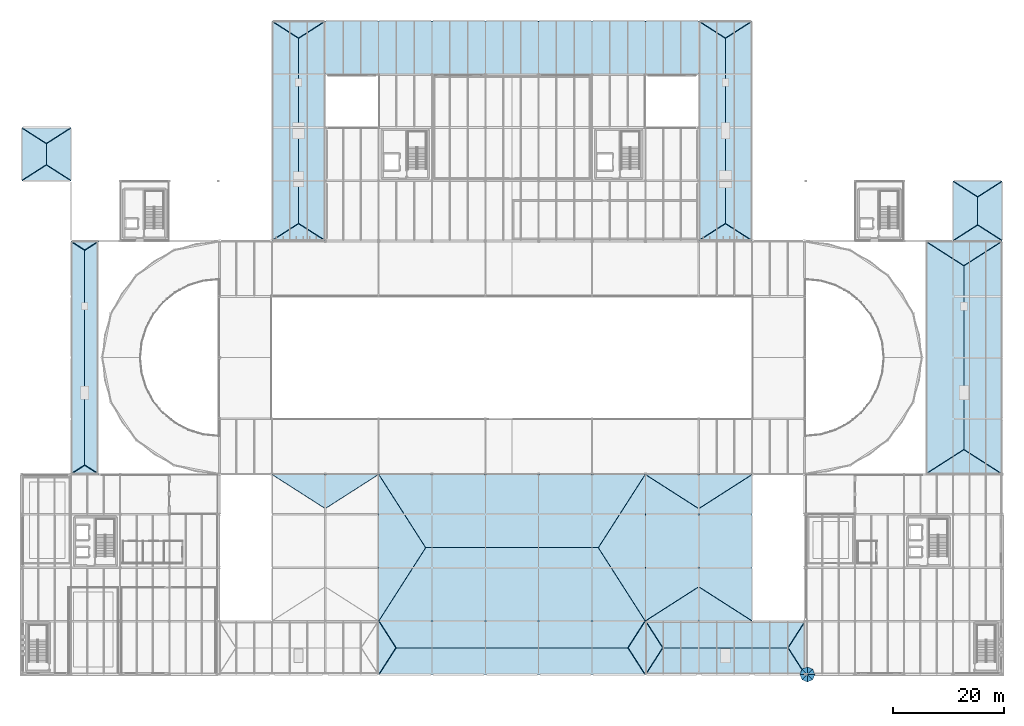
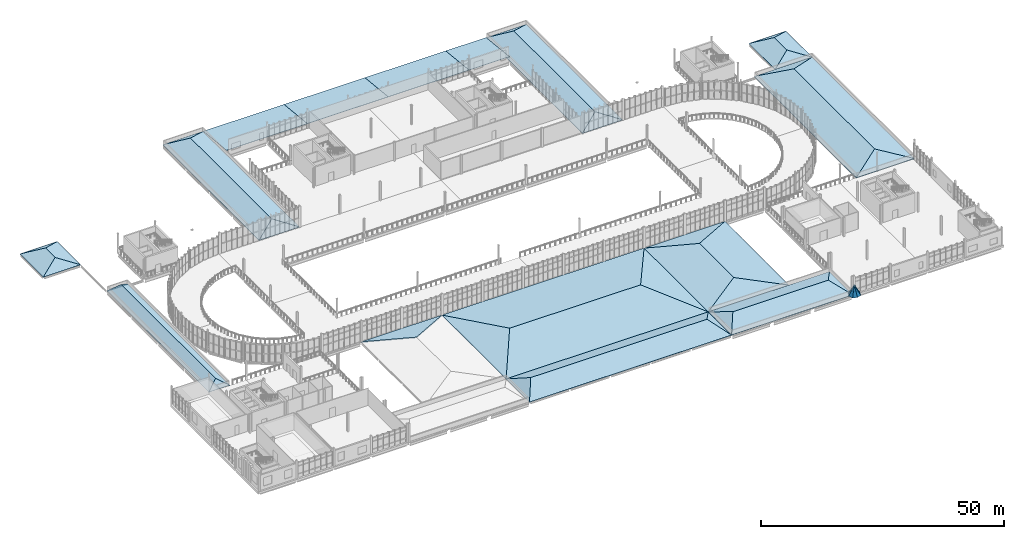
# One storey, part 99 of 112: 53 roofs.
"""IFC4 building model written with IfcOpenShell, lengths in metres."""

from ifc_helpers import new_model, si_unit, direction, frame, origin, place, context, subcontext, project, spatial, polyline, outline, extrude, material, layer, layer_set, type_object, element, save


model = new_model("IFC4")

# Units and contexts
model_context = context("Model", 3, precision=1e-05, world=origin(), true_north=direction((0.0, 1.0)))
body_context = subcontext(model_context, "Body", "Model", "MODEL_VIEW")
ifc_project = project(units=[si_unit("LENGTHUNIT", "METRE"), si_unit("AREAUNIT", "SQUARE_METRE"), si_unit("VOLUMEUNIT", "CUBIC_METRE"), si_unit("PLANEANGLEUNIT", "RADIAN"), si_unit("MASSUNIT", "GRAM", prefix="KILO")], contexts=[model_context])

# Site, building, storey
site_placement = place(None, origin())
site = spatial("IfcSite", under=ifc_project, at=site_placement, CompositionType="ELEMENT")
building_placement = place(site_placement, origin())
building = spatial("IfcBuilding", under=site, at=building_placement, Name="Yeouljin Market Hall", CompositionType="ELEMENT")
storey_placement = place(building_placement, frame((0.0, 0.0, 6.0)))
storey = spatial("IfcBuildingStorey", under=building, at=storey_placement, Name="L01", CompositionType="ELEMENT", Elevation=6.0)

# Roofs
ifc_material_1 = material(Name="Standing Seam Patinated Copper")
ifc_layer_1 = layer(ifc_material_1, 0.219970703125)
ifc_layer_set_1 = layer_set([ifc_layer_1], Name="Standing Seam Patinated Copper")
roof_type_1 = type_object("IfcRoofType", Name="Roof_Amsterdam_Hipped", PredefinedType="HIP_ROOF", material=ifc_layer_set_1)
roof_1_placement = place(storey_placement, frame((8.85009765625, 78.0, 0.050048828125), z_axis=(-0.554700196225, 0.0, 0.832050294338), x_axis=(0.0, -1.0, 0.0)))
element("IfcRoof", 1, at=roof_1_placement, inside=storey, type_object=roof_type_1, Name="West workshop gallery hipped roof RF-V2-L01M-W", PredefinedType="HIP_ROOF", context=body_context, shape_type="SweptSolid", body=[
    extrude(outline(polyline([(0.0, 0.0), (42.0, 0.0), (40.416015625, 2.9744037499494187), (1.583984375, 2.9744037499494187), (0.0, 0.0)])), origin(), (0.0, 0.0, -1.0), 0.219970703125),
])
roof_2_placement = place(storey_placement, frame((13.800048828125, 36.0, 0.050048828125), z_axis=(0.554662314918, 0.0, 0.832075547297), x_axis=(0.0, 1.0, 0.0)))
element("IfcRoof", 2, at=roof_2_placement, inside=storey, type_object=roof_type_1, Name="West workshop gallery hipped roof RF-V2-L01M-E", PredefinedType="HIP_ROOF", context=body_context, shape_type="SweptSolid", body=[
    extrude(outline(polyline([(0.0, 0.0), (42.0, 0.0), (40.416015625, 2.974606890311052), (1.583984375, 2.974606890311052), (0.0, 0.0)])), origin(), (0.0, 0.0, -1.0), 0.219970703125),
])
roof_3_placement = place(storey_placement, frame((8.85009765625, 36.0, 0.050048828125), z_axis=(0.0, -0.721370256127, 0.692549603693), x_axis=(1.0, 0.0, 0.0)))
element("IfcRoof", 3, at=roof_3_placement, inside=storey, type_object=roof_type_1, Name="West workshop gallery hipped roof RF-V2-L01M-S", PredefinedType="HIP_ROOF", context=body_context, shape_type="SweptSolid", body=[
    extrude(outline(polyline([(0.0, 0.0), (4.949951171875, 0.0), (2.474853515625, 2.287178227457555), (0.0, 0.0)])), origin(), (0.0, 0.0, -1.0), 0.219970703125),
])
roof_4_placement = place(storey_placement, frame((13.800048828125, 78.0, 0.050048828125), z_axis=(0.0, 0.721370256127, 0.692549603693), x_axis=(-1.0, 0.0, 0.0)))
element("IfcRoof", 4, at=roof_4_placement, inside=storey, type_object=roof_type_1, Name="West workshop gallery hipped roof RF-V2-L01M-N", PredefinedType="HIP_ROOF", context=body_context, shape_type="SweptSolid", body=[
    extrude(outline(polyline([(0.0, 0.0), (4.949951171875, 0.0), (2.47509765625, 2.287178227457555), (0.0, 0.0)])), origin(), (0.0, 0.0, -1.0), 0.219970703125),
])
for number, where, z_axis, x_axis, name in (
    (5, (162.60009765625, 78.0, 0.050048828125), (-0.297478563139, 0.0, 0.95472849778), (0.0, -1.0, 0.0), "East seafood hall hipped roof RF-V3-L01M-W"),
    (6, (176.39990234375, 36.0, 0.050048828125), (0.297478563139, 0.0, 0.95472849778), (0.0, 1.0, 0.0), "East seafood hall hipped roof RF-V3-L01M-E"),
):
    element("IfcRoof", number, at=place(storey_placement, frame(where, z_axis=z_axis, x_axis=x_axis)), inside=storey, type_object=roof_type_1, Name=name, PredefinedType="HIP_ROOF", context=body_context, shape_type="SweptSolid", body=[
        extrude(outline(polyline([(0.0, 0.0), (42.0, 0.0), (37.583984375, 7.227083259583252), (4.416015625, 7.227083259583252), (0.0, 0.0)])), origin(), (0.0, 0.0, -1.0), 0.219970703125),
    ])
for number, where, z_axis, x_axis, name in (
    (7, (162.60009765625, 36.0, 0.050048828125), (0.0, -0.437724250235, 0.899109270754), (1.0, 0.0, 0.0), "East seafood hall hipped roof RF-V3-L01M-S"),
    (8, (176.39990234375, 78.0, 0.050048828125), (0.0, 0.437724250235, 0.899109270754), (-1.0, 0.0, 0.0), "East seafood hall hipped roof RF-V3-L01M-N"),
):
    element("IfcRoof", number, at=place(storey_placement, frame(where, z_axis=z_axis, x_axis=x_axis)), inside=storey, type_object=roof_type_1, Name=name, PredefinedType="HIP_ROOF", context=body_context, shape_type="SweptSolid", body=[
        extrude(outline(polyline([(0.0, 0.0), (13.7998046875, 0.0), (6.89990234375, 4.911544979729483), (0.0, 0.0)])), origin(), (0.0, 0.0, -1.0), 0.219970703125),
    ])
for number, where, z_axis, x_axis, name in (
    (9, (45.0, 117.60009765625, 0.050048828125), (-0.359602336258, 0.0, 0.933105653052), (0.0, -1.0, 0.0), "Northwest dispatch wing hipped roof RF-V4-L01W-W"),
    (10, (54.60009765625, 78.0, 0.050048828125), (0.359602336258, 0.0, 0.933105653052), (0.0, 1.0, 0.0), "Northwest dispatch wing hipped roof RF-V4-L01W-E"),
):
    element("IfcRoof", number, at=place(storey_placement, frame(where, z_axis=z_axis, x_axis=x_axis)), inside=storey, type_object=roof_type_1, Name=name, PredefinedType="HIP_ROOF", context=body_context, shape_type="SweptSolid", body=[
        extrude(outline(polyline([(0.0, 0.0), (39.60009765625, 0.0), (36.528076171875, 5.144164342403376), (3.072021484375, 5.144164342403376), (0.0, 0.0)])), origin(), (0.0, 0.0, -1.0), 0.219970703125),
    ])
for number, where, z_axis, x_axis, name in (
    (11, (45.0, 78.0, 0.050048828125), (0.0, -0.51585674527, 0.856674861519), (1.0, 0.0, 0.0), "Northwest dispatch wing hipped roof RF-V4-L01W-S"),
    (12, (54.60009765625, 117.60009765625, 0.050048828125), (0.0, 0.51585674527, 0.856674861519), (-1.0, 0.0, 0.0), "Northwest dispatch wing hipped roof RF-V4-L01W-N"),
):
    element("IfcRoof", number, at=place(storey_placement, frame(where, z_axis=z_axis, x_axis=x_axis)), inside=storey, type_object=roof_type_1, Name=name, PredefinedType="HIP_ROOF", context=body_context, shape_type="SweptSolid", body=[
        extrude(outline(polyline([(0.0, 0.0), (9.60009765625, 0.0), (4.800048828125, 3.5859829935084395), (0.0, 0.0)])), origin(), (0.0, 0.0, -1.0), 0.219970703125),
    ])
roof_5_placement = place(storey_placement, frame((121.800048828125, 117.60009765625, 0.050048828125), z_axis=(-0.359602336258, 0.0, 0.933105653052), x_axis=(0.0, -1.0, 0.0)))
element("IfcRoof", 13, at=roof_5_placement, inside=storey, type_object=roof_type_1, Name="Northeast dispatch wing hipped roof RF-V4-L01E-W", PredefinedType="HIP_ROOF", context=body_context, shape_type="SweptSolid", body=[
    extrude(outline(polyline([(0.0, 0.0), (39.60009765625, 0.0), (36.528076171875, 5.144164342403376), (3.072021484375, 5.144164342403376), (0.0, 0.0)])), origin(), (0.0, 0.0, -1.0), 0.219970703125),
])
roof_6_placement = place(storey_placement, frame((131.39990234375, 78.0, 0.050048828125), z_axis=(0.359618261878, 0.0, 0.933099515445), x_axis=(0.0, 1.0, 0.0)))
element("IfcRoof", 14, at=roof_6_placement, inside=storey, type_object=roof_type_1, Name="Northeast dispatch wing hipped roof RF-V4-L01E-E", PredefinedType="HIP_ROOF", context=body_context, shape_type="SweptSolid", body=[
    extrude(outline(polyline([(0.0, 0.0), (39.60009765625, 0.0), (36.528076171875, 5.143936534155252), (3.072021484375, 5.143936534155252), (0.0, 0.0)])), origin(), (0.0, 0.0, -1.0), 0.219970703125),
])
roof_7_placement = place(storey_placement, frame((121.800048828125, 78.0, 0.050048828125), z_axis=(0.0, -0.51585674527, 0.856674861519), x_axis=(1.0, 0.0, 0.0)))
element("IfcRoof", 15, at=roof_7_placement, inside=storey, type_object=roof_type_1, Name="Northeast dispatch wing hipped roof RF-V4-L01E-S", PredefinedType="HIP_ROOF", context=body_context, shape_type="SweptSolid", body=[
    extrude(outline(polyline([(0.0, 0.0), (9.599853515625, 0.0), (4.800048828125, 3.5859829935084395), (0.0, 0.0)])), origin(), (0.0, 0.0, -1.0), 0.219970703125),
])
roof_8_placement = place(storey_placement, frame((131.39990234375, 117.60009765625, 0.050048828125), z_axis=(0.0, 0.51585674527, 0.856674861519), x_axis=(-1.0, 0.0, 0.0)))
element("IfcRoof", 16, at=roof_8_placement, inside=storey, type_object=roof_type_1, Name="Northeast dispatch wing hipped roof RF-V4-L01E-N", PredefinedType="HIP_ROOF", context=body_context, shape_type="SweptSolid", body=[
    extrude(outline(polyline([(0.0, 0.0), (9.599853515625, 0.0), (4.7998046875, 3.5859829935084395), (0.0, 0.0)])), origin(), (0.0, 0.0, -1.0), 0.219970703125),
])
roof_9_placement = place(storey_placement, frame((0.0, 98.39990234375, 0.02001953125), z_axis=(-0.349360910277, 0.0, 0.936988235983), x_axis=(0.0, -1.0, 0.0)))
element("IfcRoof", 17, at=roof_9_placement, inside=storey, type_object=roof_type_1, Name="West service apron portico roof RF-WAPR-CAN-W", PredefinedType="HIP_ROOF", context=body_context, shape_type="SweptSolid", body=[
    extrude(outline(polyline([(0.0, 0.0), (9.599853515625, 0.0), (6.767822265625, 4.722630080283886), (2.831787109375, 4.722630080283886), (0.0, 0.0)])), origin(), (0.0, 0.0, -1.0), 0.219970703125),
])
roof_10_placement = place(storey_placement, frame((8.85009765625, 88.800048828125, 0.02001953125), z_axis=(0.349360910277, 0.0, 0.936988235983), x_axis=(0.0, 1.0, 0.0)))
element("IfcRoof", 18, at=roof_10_placement, inside=storey, type_object=roof_type_1, Name="West service apron portico roof RF-WAPR-CAN-E", PredefinedType="HIP_ROOF", context=body_context, shape_type="SweptSolid", body=[
    extrude(outline(polyline([(0.0, 0.0), (9.599853515625, 0.0), (6.76806640625, 4.722630080283886), (2.83203125, 4.722630080283886), (0.0, 0.0)])), origin(), (0.0, 0.0, -1.0), 0.219970703125),
])
roof_11_placement = place(storey_placement, frame((0.0, 88.800048828125, 0.02001953125), z_axis=(0.0, -0.503389284442, 0.864059736539), x_axis=(1.0, 0.0, 0.0)))
element("IfcRoof", 19, at=roof_11_placement, inside=storey, type_object=roof_type_1, Name="West service apron portico roof RF-WAPR-CAN-S", PredefinedType="HIP_ROOF", context=body_context, shape_type="SweptSolid", body=[
    extrude(outline(polyline([(0.0, 0.0), (8.85009765625, 0.0), (4.425048828125, 3.2775873359665497), (0.0, 0.0)])), origin(), (0.0, 0.0, -1.0), 0.219970703125),
])
roof_12_placement = place(storey_placement, frame((8.85009765625, 98.39990234375, 0.02001953125), z_axis=(0.0, 0.503421685316, 0.864040859423), x_axis=(-1.0, 0.0, 0.0)))
element("IfcRoof", 20, at=roof_12_placement, inside=storey, type_object=roof_type_1, Name="West service apron portico roof RF-WAPR-CAN-N", PredefinedType="HIP_ROOF", context=body_context, shape_type="SweptSolid", body=[
    extrude(outline(polyline([(0.0, 0.0), (8.85009765625, 0.0), (4.425048828125, 3.277376386186695), (0.0, 0.0)])), origin(), (0.0, 0.0, -1.0), 0.219970703125),
])
roof_13_placement = place(storey_placement, frame((167.570068359375, 88.800048828125, 0.02001953125), z_axis=(-0.35005601716, 0.0, 0.936728768027), x_axis=(0.0, -1.0, 0.0)))
element("IfcRoof", 21, at=roof_13_placement, inside=storey, type_object=roof_type_1, Name="East service apron portico roof RF-EAPR-CAN-W", PredefinedType="HIP_ROOF", context=body_context, shape_type="SweptSolid", body=[
    extrude(outline(polyline([(0.0, 0.0), (10.800048828125, 0.0), (7.974365234375, 4.713252344964422), (2.82568359375, 4.713252344964422), (0.0, 0.0)])), origin(), (0.0, 0.0, -1.0), 0.219970703125),
])
roof_14_placement = place(storey_placement, frame((176.39990234375, 78.0, 0.02001953125), z_axis=(0.350073003131, 0.0, 0.936722420186), x_axis=(0.0, 1.0, 0.0)))
element("IfcRoof", 22, at=roof_14_placement, inside=storey, type_object=roof_type_1, Name="East service apron portico roof RF-EAPR-CAN-E", PredefinedType="HIP_ROOF", context=body_context, shape_type="SweptSolid", body=[
    extrude(outline(polyline([(0.0, 0.0), (10.800048828125, 0.0), (7.974365234375, 4.713023652192405), (2.82568359375, 4.713023652192405), (0.0, 0.0)])), origin(), (0.0, 0.0, -1.0), 0.219970703125),
])
roof_15_placement = place(storey_placement, frame((167.570068359375, 78.0, 0.02001953125), z_axis=(0.0, -0.504232833725, 0.86356774453), x_axis=(1.0, 0.0, 0.0)))
element("IfcRoof", 23, at=roof_15_placement, inside=storey, type_object=roof_type_1, Name="East service apron portico roof RF-EAPR-CAN-S", PredefinedType="HIP_ROOF", context=body_context, shape_type="SweptSolid", body=[
    extrude(outline(polyline([(0.0, 0.0), (8.829833984375, 0.0), (4.4150390625, 3.272104141970371), (0.0, 0.0)])), origin(), (0.0, 0.0, -1.0), 0.219970703125),
])
roof_16_placement = place(storey_placement, frame((176.39990234375, 88.800048828125, 0.02001953125), z_axis=(0.0, 0.504232833725, 0.86356774453), x_axis=(-1.0, 0.0, 0.0)))
element("IfcRoof", 24, at=roof_16_placement, inside=storey, type_object=roof_type_1, Name="East service apron portico roof RF-EAPR-CAN-N", PredefinedType="HIP_ROOF", context=body_context, shape_type="SweptSolid", body=[
    extrude(outline(polyline([(0.0, 0.0), (8.829833984375, 0.0), (4.414794921875, 3.272104141970371), (0.0, 0.0)])), origin(), (0.0, 0.0, -1.0), 0.219970703125),
])
ifc_material_2 = material(Name="Standing Seam Patinated Copper")
ifc_layer_2 = layer(ifc_material_2, 0.179931640625)
ifc_layer_set_2 = layer_set([ifc_layer_2], Name="Standing Seam Patinated Copper")
roof_type_2 = type_object("IfcRoofType", Name="Roof_Boulevard_Canopy", PredefinedType="GABLE_ROOF", material=ifc_layer_set_2)
for number, where, z_axis, x_axis, name in (
    (25, (112.199951171875, 0.0, 0.050048828125), (0.0, -0.359602336258, 0.933105653052), (1.0, 0.0, 0.0), "South boulevard east portico roof RF-V5-PORTE-S"),
    (26, (141.0, 9.60009765625, 0.050048828125), (0.0, 0.359602336258, 0.933105653052), (-1.0, 0.0, 0.0), "South boulevard east portico roof RF-V5-PORTE-N"),
):
    element("IfcRoof", number, at=place(storey_placement, frame(where, z_axis=z_axis, x_axis=x_axis)), inside=storey, type_object=roof_type_2, Name=name, PredefinedType="GABLE_ROOF", context=body_context, shape_type="SweptSolid", body=[
        extrude(outline(polyline([(0.0, 0.0), (28.800048828125, 0.0), (25.72802734375, 5.144164342403376), (3.072021484375, 5.144164342403376), (0.0, 0.0)])), origin(), (0.0, 0.0, -1.0), 0.219970703125),
    ])
for number, where, z_axis, x_axis, name in (
    (27, (112.199951171875, 9.60009765625, 0.050048828125), (-0.51585674527, 0.0, 0.856674861519), (0.0, -1.0, 0.0), "South boulevard east portico roof RF-V5-PORTE-W"),
    (28, (141.0, 0.0, 0.050048828125), (0.51585674527, 0.0, 0.856674861519), (0.0, 1.0, 0.0), "South boulevard east portico roof RF-V5-PORTE-E"),
):
    element("IfcRoof", number, at=place(storey_placement, frame(where, z_axis=z_axis, x_axis=x_axis)), inside=storey, type_object=roof_type_2, Name=name, PredefinedType="GABLE_ROOF", context=body_context, shape_type="SweptSolid", body=[
        extrude(outline(polyline([(0.0, 0.0), (9.60009765625, 0.0), (4.800048828125, 3.5859829935084395), (0.0, 0.0)])), origin(), (0.0, 0.0, -1.0), 0.219970703125),
    ])
for number, where, z_axis, x_axis, name in (
    (29, (64.199951171875, 0.0, 0.02001953125), (0.0, -0.408763996205, 0.91264012371), (1.0, 0.0, 0.0), "South boulevard central entry canopy roof RF-V5-CENT-S"),
    (30, (112.199951171875, 9.60009765625, 0.02001953125), (0.0, 0.408763996205, 0.91264012371), (-1.0, 0.0, 0.0), "South boulevard central entry canopy roof RF-V5-CENT-N"),
):
    element("IfcRoof", number, at=place(storey_placement, frame(where, z_axis=z_axis, x_axis=x_axis)), inside=storey, type_object=roof_type_2, Name=name, PredefinedType="GABLE_ROOF", context=body_context, shape_type="SweptSolid", body=[
        extrude(outline(polyline([(0.0, 0.0), (48.0, 0.0), (44.927978515625, 5.259519829798718), (3.072021484375, 5.259519829798718), (0.0, 0.0)])), origin(), (0.0, 0.0, -1.0), 0.219970703125),
    ])
for number, where, z_axis, x_axis, name in (
    (31, (64.199951171875, 9.60009765625, 0.02001953125), (-0.573370573087, 0.0, 0.819296152754), (0.0, -1.0, 0.0), "South boulevard central entry canopy roof RF-V5-CENT-W"),
    (32, (112.199951171875, 0.0, 0.02001953125), (0.573370573087, 0.0, 0.819296152754), (0.0, 1.0, 0.0), "South boulevard central entry canopy roof RF-V5-CENT-E"),
):
    element("IfcRoof", number, at=place(storey_placement, frame(where, z_axis=z_axis, x_axis=x_axis)), inside=storey, type_object=roof_type_2, Name=name, PredefinedType="GABLE_ROOF", context=body_context, shape_type="SweptSolid", body=[
        extrude(outline(polyline([(0.0, 0.0), (9.60009765625, 0.0), (4.800048828125, 3.7495861222438034), (0.0, 0.0)])), origin(), (0.0, 0.0, -1.0), 0.219970703125),
    ])
roof_17_placement = place(storey_placement, frame((64.199951171875, 36.0, 0.02001953125), z_axis=(0.0, 0.244620159749, 0.969618985707), x_axis=(-1.0, 0.0, 0.0)))
element("IfcRoof", 33, at=roof_17_placement, inside=storey, type_object=roof_type_2, Name="Forecourt west market arcade canopy RF-V5-CRTW-N", PredefinedType="GABLE_ROOF", context=body_context, shape_type="SweptSolid", body=[
    extrude(outline(polyline([(0.0, 0.0), (19.199951171875, 0.0), (9.599853515625, 6.336553903457147), (0.0, 0.0)])), origin(), (0.0, 0.0, -1.0), 0.219970703125),
])
for number, where, z_axis, x_axis, name in (
    (34, (64.199951171875, 9.60009765625, 0.02001953125), (0.0, -0.131426274663, 0.991325947571), (1.0, 0.0, 0.0), "Forecourt central market arcade canopy RF-V5-CRTM-S"),
    (35, (112.199951171875, 36.0, 0.02001953125), (0.0, 0.131426274663, 0.991325947571), (-1.0, 0.0, 0.0), "Forecourt central market arcade canopy RF-V5-CRTM-N"),
):
    element("IfcRoof", number, at=place(storey_placement, frame(where, z_axis=z_axis, x_axis=x_axis)), inside=storey, type_object=roof_type_2, Name=name, PredefinedType="GABLE_ROOF", context=body_context, shape_type="SweptSolid", body=[
        extrude(outline(polyline([(0.0, 0.0), (48.0, 0.0), (39.552001953125, 13.31545008401459), (8.447998046875, 13.31545008401459), (0.0, 0.0)])), origin(), (0.0, 0.0, -1.0), 0.219970703125),
    ])
for number, where, z_axis, x_axis, name in (
    (36, (64.199951171875, 36.0, 0.02001953125), (-0.202843279222, 0.0, 0.979211215252), (0.0, -1.0, 0.0), "Forecourt central market arcade canopy RF-V5-CRTM-W"),
    (37, (112.199951171875, 9.60009765625, 0.02001953125), (0.202843279222, 0.0, 0.979211215252), (0.0, 1.0, 0.0), "Forecourt central market arcade canopy RF-V5-CRTM-E"),
):
    element("IfcRoof", number, at=place(storey_placement, frame(where, z_axis=z_axis, x_axis=x_axis)), inside=storey, type_object=roof_type_2, Name=name, PredefinedType="GABLE_ROOF", context=body_context, shape_type="SweptSolid", body=[
        extrude(outline(polyline([(0.0, 0.0), (26.39990234375, 0.0), (13.199951171875, 8.627350172561899), (0.0, 0.0)])), origin(), (0.0, 0.0, -1.0), 0.219970703125),
    ])
roof_18_placement = place(storey_placement, frame((112.199951171875, 36.0, 0.02001953125), z_axis=(-0.159397407368, 0.0, 0.987214498741), x_axis=(0.0, -1.0, 0.0)))
element("IfcRoof", 38, at=roof_18_placement, inside=storey, type_object=roof_type_2, Name="Forecourt east market arcade canopy RF-V5-CRTE-W", PredefinedType="GABLE_ROOF", context=body_context, shape_type="SweptSolid", body=[
    extrude(outline(polyline([(0.0, 0.0), (26.39990234375, 0.0), (20.256103515625, 9.724429360076016), (6.14404296875, 9.724429360076016), (0.0, 0.0)])), origin(), (0.0, 0.0, -1.0), 0.219970703125),
])
roof_19_placement = place(storey_placement, frame((131.39990234375, 9.60009765625, 0.02001953125), z_axis=(0.159401358116, 0.0, 0.987213860838), x_axis=(0.0, 1.0, 0.0)))
element("IfcRoof", 39, at=roof_19_placement, inside=storey, type_object=roof_type_2, Name="Forecourt east market arcade canopy RF-V5-CRTE-E", PredefinedType="GABLE_ROOF", context=body_context, shape_type="SweptSolid", body=[
    extrude(outline(polyline([(0.0, 0.0), (26.39990234375, 0.0), (20.255859375, 9.724188340989151), (6.143798828125, 9.724188340989151), (0.0, 0.0)])), origin(), (0.0, 0.0, -1.0), 0.219970703125),
])
roof_20_placement = place(storey_placement, frame((112.199951171875, 9.60009765625, 0.02001953125), z_axis=(0.0, -0.244629298693, 0.969616680045), x_axis=(1.0, 0.0, 0.0)))
element("IfcRoof", 40, at=roof_20_placement, inside=storey, type_object=roof_type_2, Name="Forecourt east market arcade canopy RF-V5-CRTE-S", PredefinedType="GABLE_ROOF", context=body_context, shape_type="SweptSolid", body=[
    extrude(outline(polyline([(0.0, 0.0), (19.199951171875, 0.0), (9.60009765625, 6.3363171803534115), (0.0, 0.0)])), origin(), (0.0, 0.0, -1.0), 0.219970703125),
])
roof_21_placement = place(storey_placement, frame((131.39990234375, 36.0, 0.02001953125), z_axis=(0.0, 0.244620159749, 0.969618985707), x_axis=(-1.0, 0.0, 0.0)))
element("IfcRoof", 41, at=roof_21_placement, inside=storey, type_object=roof_type_2, Name="Forecourt east market arcade canopy RF-V5-CRTE-N", PredefinedType="GABLE_ROOF", context=body_context, shape_type="SweptSolid", body=[
    extrude(outline(polyline([(0.0, 0.0), (19.199951171875, 0.0), (9.599853515625, 6.336553903457147), (0.0, 0.0)])), origin(), (0.0, 0.0, -1.0), 0.219970703125),
])
for number, where, z_axis, x_axis, name in (
    (42, (54.60009765625, 108.0, 1.080078125), (0.0, 0.104630806133, 0.994511133376), (0.0, 0.994511133376, -0.104630806133), "North HGV dock copper canopy skin 1"),
    (43, (73.800048828125, 108.0, 1.080078125), (0.0, 0.104630806133, 0.994511133376), (0.0, 0.994511133376, -0.104630806133), "North HGV dock copper canopy skin 2"),
    (44, (93.0, 108.0, 1.080078125), (0.0, 0.104630806133, 0.994511133376), (0.0, 0.994511133376, -0.104630806133), "North HGV dock copper canopy skin 3"),
):
    element("IfcRoof", number, at=place(storey_placement, frame(where, z_axis=z_axis, x_axis=x_axis)), inside=storey, type_object=roof_type_2, Name=name, PredefinedType="GABLE_ROOF", context=body_context, shape_type="SweptSolid", body=[
        extrude(outline(polyline([(0.0, 0.0), (9.653082136612877, 0.0), (9.653082136612877, -19.199951171875), (0.0, -19.199951171875), (0.0, 0.0)])), origin(), (0.0, 0.0, -1.0), 0.080078125),
    ])
roof_22_placement = place(storey_placement, frame((112.199951171875, 108.0, 1.080078125), z_axis=(0.0, 0.104630806133, 0.994511133376), x_axis=(0.0, 0.994511133376, -0.104630806133)))
element("IfcRoof", 45, at=roof_22_placement, inside=storey, type_object=roof_type_2, Name="North HGV dock copper canopy skin 4", PredefinedType="GABLE_ROOF", context=body_context, shape_type="SweptSolid", body=[
    extrude(outline(polyline([(0.0, 0.0), (9.653082136612877, 0.0), (9.653082136612877, -9.60009765625), (0.0, -9.60009765625), (0.0, 0.0)])), origin(), (0.0, 0.0, -1.0), 0.080078125),
])
ifc_material_3 = material(Name="Standing Seam Patinated Copper")
ifc_layer_3 = layer(ifc_material_3, 0.199951171875)
ifc_layer_set_3 = layer_set([ifc_layer_3], Name="Standing Seam Patinated Copper")
roof_type_3 = type_object("IfcRoofType", Name="Roof_Turret_Pavilion", PredefinedType="PAVILION_ROOF", material=ifc_layer_set_3)
roof_23_placement = place(storey_placement, frame((141.35009765625, 0.0, 2.449951171875), z_axis=(0.819833426379, 0.339465554299, 0.461125026902), x_axis=(0.49023598137, 0.0, -0.871589744415)))
element("IfcRoof", 46, at=roof_23_placement, inside=storey, type_object=roof_type_3, Name="Corner turret roof facet PORT-E-1", PredefinedType="PAVILION_ROOF", context=body_context, shape_type="SweptSolid", body=[
    extrude(outline(polyline([(0.0, 0.0), (2.7534770333492737, -5.551115123125783e-17), (2.559704559267542, 1.014853372849005), (0.0, 0.0)])), origin(), (0.0, 0.0, -1.0), 0.179931640625),
])
roof_24_placement = place(storey_placement, frame((141.35009765625, 0.0, 2.449951171875), z_axis=(0.339637987155, 0.819743536899, 0.461157859517), x_axis=(0.346676573602, 0.346676573602, -0.871567958699)))
element("IfcRoof", 47, at=roof_24_placement, inside=storey, type_object=roof_type_3, Name="Corner turret roof facet PORT-E-2", PredefinedType="PAVILION_ROOF", context=body_context, shape_type="SweptSolid", body=[
    extrude(outline(polyline([(0.0, 0.0), (2.7535458592727386, 1.1102230246251565e-16), (2.559725216316268, 1.014939287791701), (0.0, 0.0)])), origin(), (0.0, 0.0, -1.0), 0.179931640625),
])
roof_25_placement = place(storey_placement, frame((141.35009765625, 0.0, 2.449951171875), z_axis=(-0.339637987155, 0.819743536899, 0.461157859517), x_axis=(0.0, 0.490303333991, -0.87155185771)))
element("IfcRoof", 48, at=roof_25_placement, inside=storey, type_object=roof_type_3, Name="Corner turret roof facet PORT-E-3", PredefinedType="PAVILION_ROOF", context=body_context, shape_type="SweptSolid", body=[
    extrude(outline(polyline([(0.0, 0.0), (2.7535967280900966, 5.551115123125783e-17), (2.5596779290017566, 1.0149205382192839), (0.0, 0.0)])), origin(), (0.0, 0.0, -1.0), 0.179931640625),
])
roof_26_placement = place(storey_placement, frame((141.35009765625, 0.0, 2.449951171875), z_axis=(-0.819743536899, 0.339637987155, 0.461157859517), x_axis=(-0.346676573602, 0.346676573602, -0.871567958699)))
element("IfcRoof", 49, at=roof_26_placement, inside=storey, type_object=roof_type_3, Name="Corner turret roof facet PORT-E-4", PredefinedType="PAVILION_ROOF", context=body_context, shape_type="SweptSolid", body=[
    extrude(outline(polyline([(0.0, 0.0), (2.7535458592727386, 1.1102230246251565e-16), (2.559725216316268, 1.014939287791701), (0.0, 0.0)])), origin(), (0.0, 0.0, -1.0), 0.179931640625),
])
roof_27_placement = place(storey_placement, frame((141.35009765625, 0.0, 2.449951171875), z_axis=(-0.819743536899, -0.339637987155, 0.461157859517), x_axis=(-0.490303333991, 0.0, -0.87155185771)))
element("IfcRoof", 50, at=roof_27_placement, inside=storey, type_object=roof_type_3, Name="Corner turret roof facet PORT-E-5", PredefinedType="PAVILION_ROOF", context=body_context, shape_type="SweptSolid", body=[
    extrude(outline(polyline([(0.0, 0.0), (2.7535967280900966, 5.551115123125783e-17), (2.5596779290017566, 1.0149205382192839), (0.0, 0.0)])), origin(), (0.0, 0.0, -1.0), 0.179931640625),
])
roof_28_placement = place(storey_placement, frame((141.35009765625, 0.0, 2.449951171875), z_axis=(-0.339637987155, -0.819743536899, 0.461157859517), x_axis=(-0.346676573602, -0.346676573602, -0.871567958699)))
element("IfcRoof", 51, at=roof_28_placement, inside=storey, type_object=roof_type_3, Name="Corner turret roof facet PORT-E-6", PredefinedType="PAVILION_ROOF", context=body_context, shape_type="SweptSolid", body=[
    extrude(outline(polyline([(0.0, 0.0), (2.7535458592727386, 1.1102230246251565e-16), (2.559725216316268, 1.014939287791701), (0.0, 0.0)])), origin(), (0.0, 0.0, -1.0), 0.179931640625),
])
roof_29_placement = place(storey_placement, frame((141.35009765625, 0.0, 2.449951171875), z_axis=(0.339637987155, -0.819743536899, 0.461157859517), x_axis=(0.0, -0.490303333991, -0.87155185771)))
element("IfcRoof", 52, at=roof_29_placement, inside=storey, type_object=roof_type_3, Name="Corner turret roof facet PORT-E-7", PredefinedType="PAVILION_ROOF", context=body_context, shape_type="SweptSolid", body=[
    extrude(outline(polyline([(0.0, 0.0), (2.7535967280900966, 5.551115123125783e-17), (2.5596779290017566, 1.0149205382192839), (0.0, 0.0)])), origin(), (0.0, 0.0, -1.0), 0.179931640625),
])
roof_30_placement = place(storey_placement, frame((141.35009765625, 0.0, 2.449951171875), z_axis=(0.819833426379, -0.339465554299, 0.461125026902), x_axis=(0.346676573602, -0.346676573602, -0.871567958699)))
element("IfcRoof", 53, at=roof_30_placement, inside=storey, type_object=roof_type_3, Name="Corner turret roof facet PORT-E-8", PredefinedType="PAVILION_ROOF", context=body_context, shape_type="SweptSolid", body=[
    extrude(outline(polyline([(0.0, 0.0), (2.7535458592727386, 1.1102230246251565e-16), (2.5596405784809155, 1.0148280062039092), (0.0, 0.0)])), origin(), (0.0, 0.0, -1.0), 0.179931640625),
])

save(model, "model.ifc")
